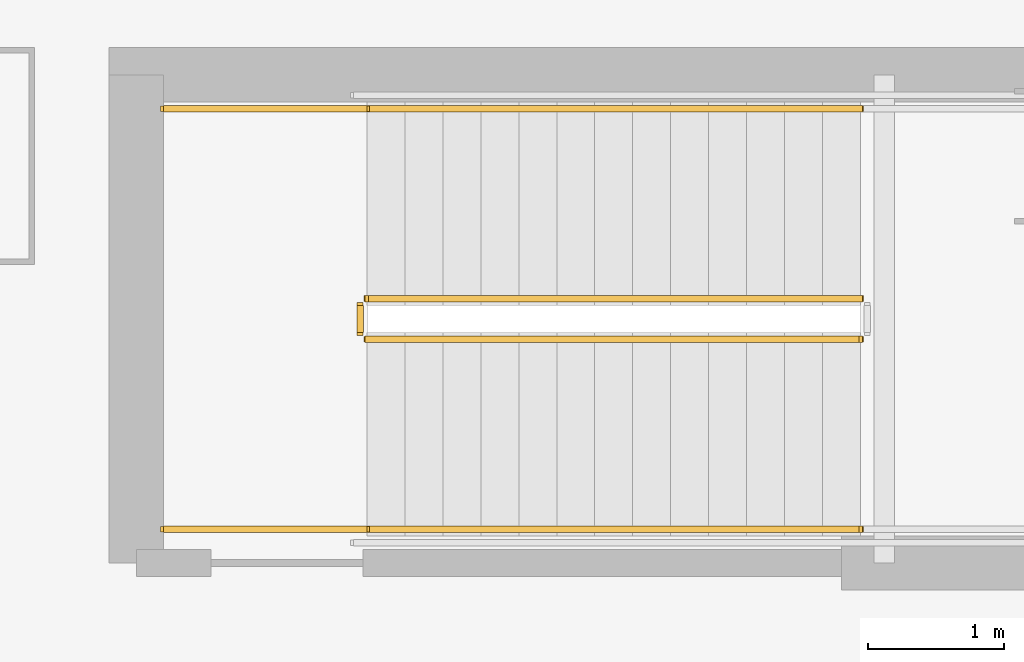
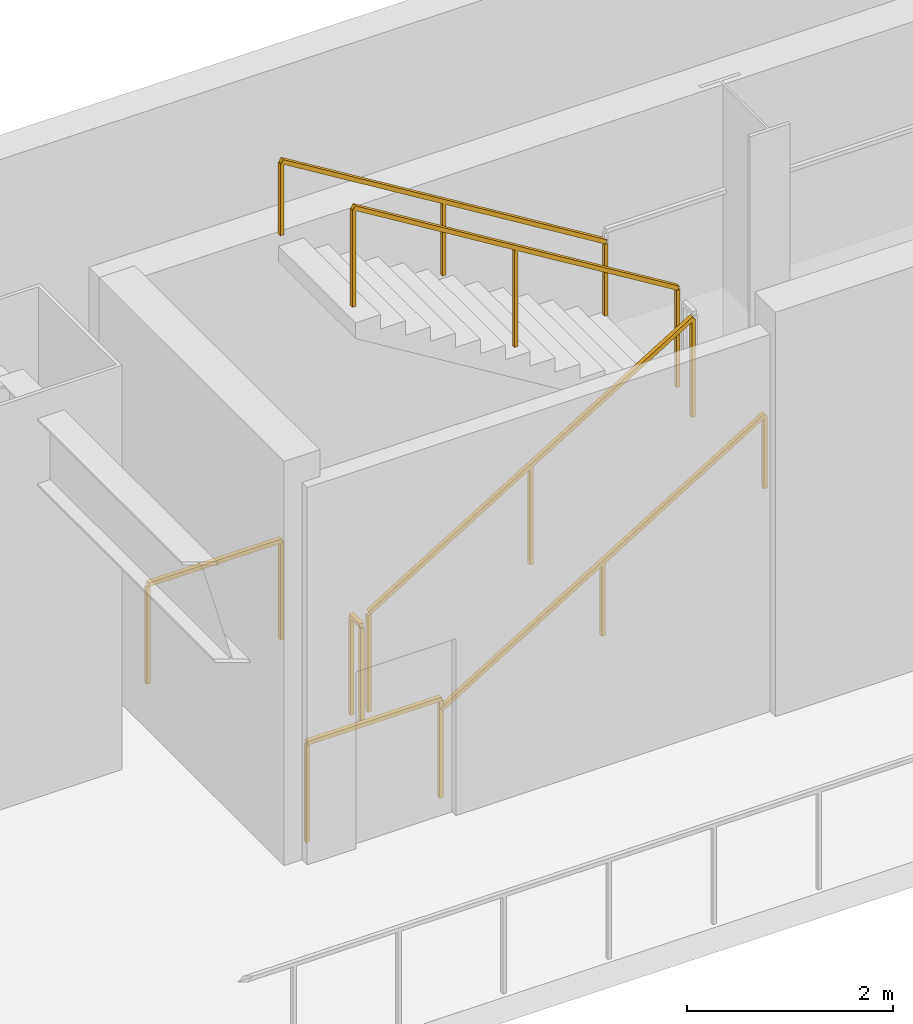
# One storey, part 21 of 25: 7 railings.
"""IFC4 building model written with IfcOpenShell, lengths in metres."""

from ifc_helpers import new_model, si_unit, direction, frame, origin, origin_2d, place, context, subcontext, project, spatial, rectangle, extrude, material, type_object, element, save


model = new_model("IFC4")

# Units and contexts
model_context = context("Model", 3, precision=1e-05, world=origin(), true_north=direction((0.0, 1.0)))
body_context = subcontext(model_context, "Body", "Model", "MODEL_VIEW")
ifc_project = project(units=[si_unit("LENGTHUNIT", "METRE"), si_unit("AREAUNIT", "SQUARE_METRE"), si_unit("VOLUMEUNIT", "CUBIC_METRE"), si_unit("PLANEANGLEUNIT", "RADIAN"), si_unit("MASSUNIT", "GRAM", prefix="KILO")], contexts=[model_context])

# Site, building, storey
site_placement = place(None, origin())
site = spatial("IfcSite", under=ifc_project, at=site_placement, CompositionType="ELEMENT")
building_placement = place(site_placement, origin())
building = spatial("IfcBuilding", under=site, at=building_placement, Name="Haevon Station Towers", CompositionType="ELEMENT")
storey_placement = place(building_placement, frame((0.0, 0.0, 6.0)))
storey = spatial("IfcBuildingStorey", under=building, at=storey_placement, Name="L01", CompositionType="ELEMENT", Elevation=6.0)

# Railings
ifc_material = material(Name="Steel S355", Category="steel")
railing_type_1 = type_object("IfcRailingType", Name="GRD-STR1200", PredefinedType="GUARDRAIL", material=ifc_material)
railing_1_placement = place(storey_placement, frame((68.0, 46.64990234375, 0.17138671875)))
element("IfcRailing", 1, at=railing_1_placement, inside=storey, type_object=railing_type_1, Name="L01 ST6 Stair Guard 1", PredefinedType="GUARDRAIL", context=body_context, shape_type="SweptSolid", body=[
    extrude(rectangle(XDim=0.048095703125, YDim=0.048095703125, at=origin_2d()), frame((0.0, 0.0, 1.17578125), z_axis=(0.852850264322, 0.0, 0.5221555579), x_axis=(0.0, 1.0, 0.0)), (0.0, 0.0, 1.0), 4.267822265625),
    extrude(rectangle(XDim=0.0419921875, YDim=0.0419921875, at=origin_2d()), origin(), (0.0, 0.0, 1.0), 1.15185546875),
    extrude(rectangle(XDim=0.0419921875, YDim=0.0419921875, at=origin_2d()), frame((1.81982421875, 0.0, 1.1142578125)), (0.0, 0.0, 1.0), 1.15185546875),
    extrude(rectangle(XDim=0.0419921875, YDim=0.0419921875, at=origin_2d()), frame((3.639892578125, 0.0, 2.228515625)), (0.0, 0.0, 1.0), 1.15185546875),
])
railing_2_placement = place(storey_placement, frame((71.639892578125, 46.949951171875, 2.571533203125)))
element("IfcRailing", 2, at=railing_2_placement, inside=storey, type_object=railing_type_1, Name="L01 ST6 Stair Guard 6", PredefinedType="GUARDRAIL", context=body_context, shape_type="SweptSolid", body=[
    extrude(rectangle(XDim=0.048095703125, YDim=0.048095703125, at=origin_2d()), frame((0.0, 0.0, 1.17578125), z_axis=(-0.852850264322, 0.0, 0.5221555579), x_axis=(0.0, -1.0, 0.0)), (0.0, 0.0, 1.0), 4.267822265625),
    extrude(rectangle(XDim=0.0419921875, YDim=0.0419921875, at=origin_2d()), origin(), (0.0, 0.0, 1.0), 1.15185546875),
    extrude(rectangle(XDim=0.0419921875, YDim=0.0419921875, at=origin_2d()), frame((-1.81982421875, 0.0, 1.1142578125)), (0.0, 0.0, 1.0), 1.15185546875),
    extrude(rectangle(XDim=0.0419921875, YDim=0.0419921875, at=origin_2d()), frame((-3.639892578125, 0.0, 2.228515625)), (0.0, 0.0, 1.0), 1.15185546875),
])
railing_3_placement = place(storey_placement, frame((67.949951171875, 46.699951171875, 0.0)))
element("IfcRailing", 3, at=railing_3_placement, inside=storey, type_object=railing_type_1, Name="L01 ST6 Stair Guard 7", PredefinedType="GUARDRAIL", context=body_context, shape_type="SweptSolid", body=[
    extrude(rectangle(XDim=0.048095703125, YDim=0.048095703125, at=origin_2d()), frame((0.0, 0.0, 1.17578125), z_axis=(0.0, 1.0, 0.0), x_axis=(-1.0, 0.0, 0.0)), (0.0, 0.0, 1.0), 0.199951171875),
    extrude(rectangle(XDim=0.0419921875, YDim=0.0419921875, at=origin_2d()), origin(), (0.0, 0.0, 1.0), 1.15185546875),
    extrude(rectangle(XDim=0.0419921875, YDim=0.0419921875, at=origin_2d()), frame((0.0, 0.199951171875, 0.0)), (0.0, 0.0, 1.0), 1.15185546875),
])
for number, where, name in (
    (4, (66.5, 45.25, 0.0), "L01 ST6 Stair Guard 8"),
    (5, (66.5, 48.35009765625, 0.0), "L01 ST6 Stair Guard 9"),
):
    element("IfcRailing", number, at=place(storey_placement, frame(where)), inside=storey, type_object=railing_type_1, Name=name, PredefinedType="GUARDRAIL", context=body_context, shape_type="SweptSolid", body=[
        extrude(rectangle(XDim=0.048095703125, YDim=0.048095703125, at=origin_2d()), frame((0.0, 0.0, 1.17578125), z_axis=(1.0, 0.0, 0.0), x_axis=(0.0, 1.0, 0.0)), (0.0, 0.0, 1.0), 1.5),
        extrude(rectangle(XDim=0.0419921875, YDim=0.0419921875, at=origin_2d()), origin(), (0.0, 0.0, 1.0), 1.15185546875),
        extrude(rectangle(XDim=0.0419921875, YDim=0.0419921875, at=origin_2d()), frame((1.5, 0.0, 0.0)), (0.0, 0.0, 1.0), 1.15185546875),
    ])
railing_type_2 = type_object("IfcRailingType", Name="HND-STR900", PredefinedType="HANDRAIL", material=ifc_material)
railing_4_placement = place(storey_placement, frame((68.0, 45.25, 0.17138671875)))
element("IfcRailing", 6, at=railing_4_placement, inside=storey, type_object=railing_type_2, Name="L01 ST6 Stair Handrail 1", PredefinedType="HANDRAIL", context=body_context, shape_type="SweptSolid", body=[
    extrude(rectangle(XDim=0.048095703125, YDim=0.048095703125, at=origin_2d()), frame((0.0, 0.0, 0.8759765625), z_axis=(0.852850264322, 0.0, 0.5221555579), x_axis=(0.0, 1.0, 0.0)), (0.0, 0.0, 1.0), 4.267822265625),
    extrude(rectangle(XDim=0.0419921875, YDim=0.0419921875, at=origin_2d()), origin(), (0.0, 0.0, 1.0), 0.851806640625),
    extrude(rectangle(XDim=0.0419921875, YDim=0.0419921875, at=origin_2d()), frame((1.81982421875, 0.0, 1.1142578125)), (0.0, 0.0, 1.0), 0.851806640625),
    extrude(rectangle(XDim=0.0419921875, YDim=0.0419921875, at=origin_2d()), frame((3.639892578125, 0.0, 2.228515625)), (0.0, 0.0, 1.0), 0.851806640625),
])
railing_5_placement = place(storey_placement, frame((71.639892578125, 48.35009765625, 2.571533203125)))
element("IfcRailing", 7, at=railing_5_placement, inside=storey, type_object=railing_type_2, Name="L01 ST6 Stair Handrail 2", PredefinedType="HANDRAIL", context=body_context, shape_type="SweptSolid", body=[
    extrude(rectangle(XDim=0.048095703125, YDim=0.048095703125, at=origin_2d()), frame((0.0, 0.0, 0.8759765625), z_axis=(-0.852850264322, 0.0, 0.5221555579), x_axis=(0.0, -1.0, 0.0)), (0.0, 0.0, 1.0), 4.267822265625),
    extrude(rectangle(XDim=0.0419921875, YDim=0.0419921875, at=origin_2d()), origin(), (0.0, 0.0, 1.0), 0.851806640625),
    extrude(rectangle(XDim=0.0419921875, YDim=0.0419921875, at=origin_2d()), frame((-1.81982421875, 0.0, 1.1142578125)), (0.0, 0.0, 1.0), 0.851806640625),
    extrude(rectangle(XDim=0.0419921875, YDim=0.0419921875, at=origin_2d()), frame((-3.639892578125, 0.0, 2.228515625)), (0.0, 0.0, 1.0), 0.851806640625),
])

save(model, "model.ifc")
